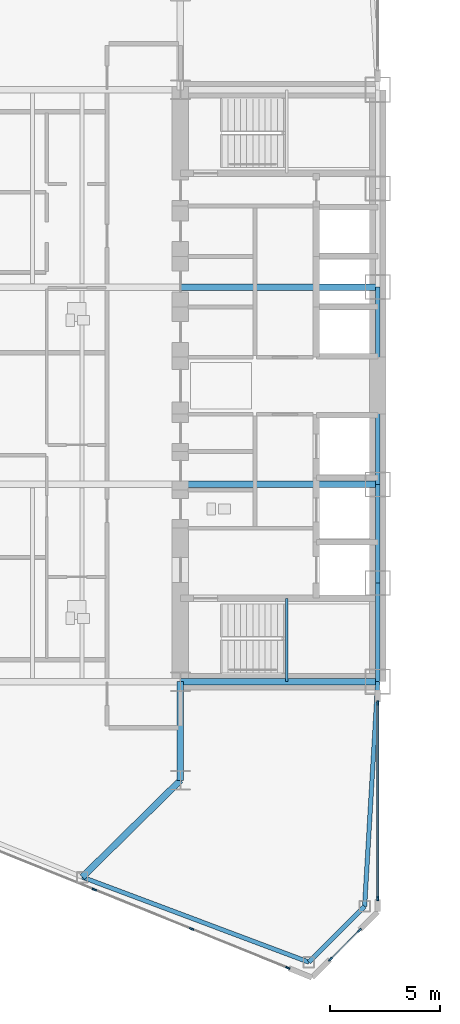
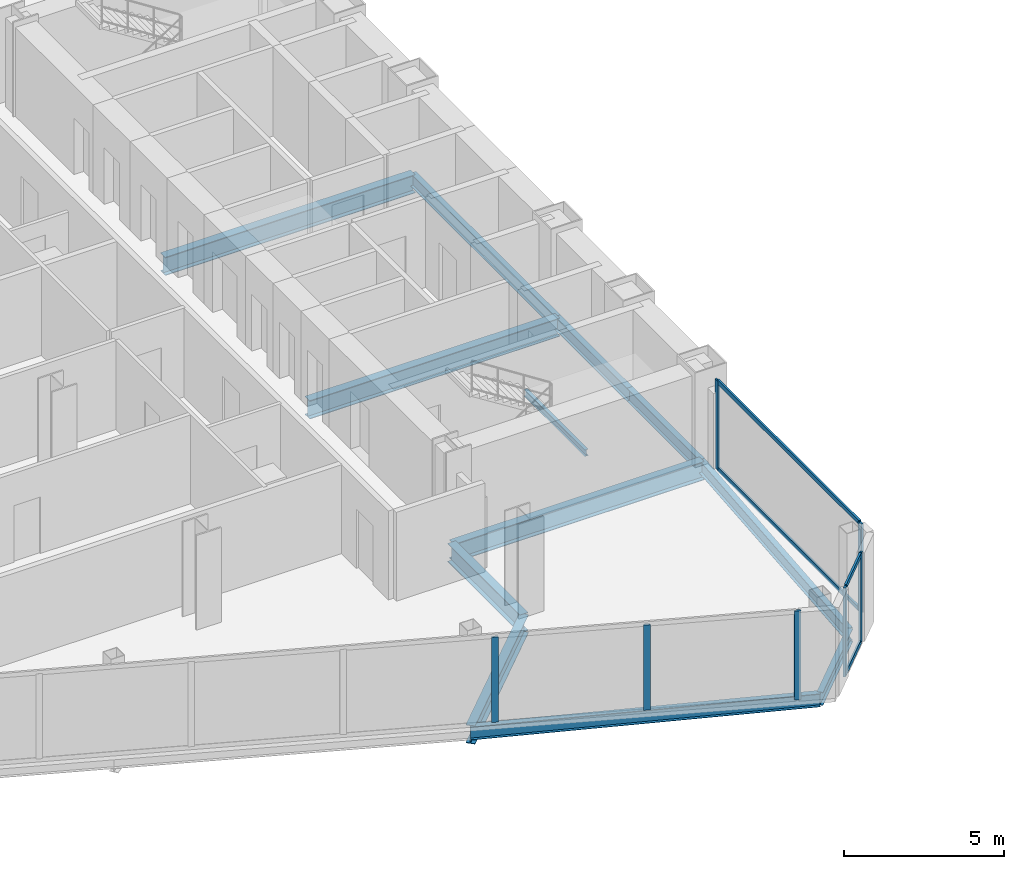
# One storey, part 5 of 25: 12 beams, 11 members, 3 elements without a shape of their own.
"""IFC4 building model written with IfcOpenShell, lengths in metres."""

from ifc_helpers import new_model, si_unit, direction, frame, origin, origin_2d, place, context, subcontext, project, spatial, rectangle, i_section, extrude, source, transform, mapped, material, layer, layer_set, material_profile, profile_set, type_object, type_shapes, element, aggregate, save


model = new_model("IFC4")

# Units and contexts
model_context = context("Model", 3, precision=1e-05, world=origin(), true_north=direction((0.0, 1.0)))
body_context = subcontext(model_context, "Body", "Model", "MODEL_VIEW")
ifc_project = project(units=[si_unit("LENGTHUNIT", "METRE"), si_unit("AREAUNIT", "SQUARE_METRE"), si_unit("VOLUMEUNIT", "CUBIC_METRE"), si_unit("PLANEANGLEUNIT", "RADIAN"), si_unit("MASSUNIT", "GRAM", prefix="KILO")], contexts=[model_context])

# Site, building, storey
site_placement = place(None, origin())
site = spatial("IfcSite", under=ifc_project, at=site_placement, CompositionType="ELEMENT")
building_placement = place(site_placement, origin())
building = spatial("IfcBuilding", under=site, at=building_placement, Name="Seokmaru Belvedere", CompositionType="ELEMENT")
storey_placement = place(building_placement, frame((0.0, 0.0, 54.89990234375)))
storey = spatial("IfcBuildingStorey", under=building, at=storey_placement, Name="L14", CompositionType="ELEMENT", Elevation=54.89990234375)

# Beams
ifc_material_1 = material(Name="Steel SM355 (355 MPa)", Category="steel")
ifc_material_profile_1 = material_profile(ifc_material_1, i_section(OverallWidth=0.199951171875, OverallDepth=0.5, WebThickness=0.010009765625, FlangeThickness=0.01611328125, at=origin_2d()), Name="H-500x200x10x16")
ifc_profile_set_1 = profile_set([ifc_material_profile_1], Name="Steel SM355 (355 MPa)")
beam_type_1 = type_object("IfcBeamType", Name="Perimeter Spandrel Beam H-500", PredefinedType="SPANDREL", material=ifc_profile_set_1)
shared_shape_1 = source(origin(), body_context, "Body", "SweptSolid", [
    extrude(i_section(OverallWidth=0.199951171875, OverallDepth=0.5, WebThickness=0.010009765625, FlangeThickness=0.01611328125, at=origin_2d()), origin(), (0.0, 0.0, 1.0), 4.5),
])
for number, where, z_axis, x_axis, name in (
    (1, (-27.5, -13.5, -0.469970703125), (0.0, 1.0, 0.0), (-1.0, 0.0, 0.0), "L14 W Portal Spine Spandrel 1"),
    (2, (-27.5, -9.0, -0.469970703125), (0.0, 1.0, 0.0), (-1.0, 0.0, 0.0), "L14 W Portal Spine Spandrel 2"),
):
    element("IfcBeam", number, at=place(storey_placement, frame(where, z_axis=z_axis, x_axis=x_axis)), inside=storey, type_object=beam_type_1, Name=name, PredefinedType="SPANDREL", context=body_context, shape_type="MappedRepresentation", body=[
        mapped(shared_shape_1, transform((0.0, 0.0, 0.0), scale=1.0)),
    ])
shared_shape_2 = source(origin(), body_context, "Body", "SweptSolid", [
    extrude(i_section(OverallWidth=0.199951171875, OverallDepth=0.5, WebThickness=0.010009765625, FlangeThickness=0.01611328125, at=origin_2d()), origin(), (0.0, 0.0, 1.0), 9.0),
])
beam_1_placement = place(storey_placement, frame((-27.5, -4.5, -0.469970703125), z_axis=(0.0, 1.0, 0.0), x_axis=(-1.0, 0.0, 0.0)))
element("IfcBeam", 3, at=beam_1_placement, inside=storey, type_object=beam_type_1, Name="L14 W Portal Spine Spandrel 3", PredefinedType="SPANDREL", context=body_context, shape_type="MappedRepresentation", body=[
    mapped(shared_shape_2, transform((0.0, 0.0, 0.0), scale=1.0)),
])
ifc_material_profile_2 = material_profile(ifc_material_1, i_section(OverallWidth=0.300048828125, OverallDepth=0.699951171875, WebThickness=0.012939453125, FlangeThickness=0.02392578125, at=origin_2d()), Name="H-700x300x13x24")
ifc_profile_set_2 = profile_set([ifc_material_profile_2], Name="Steel SM355 (355 MPa)")
beam_type_2 = type_object("IfcBeamType", Name="Primary Floor Girder H-700", PredefinedType="BEAM", material=ifc_profile_set_2)
shared_shape_3 = source(origin(), body_context, "Body", "SweptSolid", [
    extrude(i_section(OverallWidth=0.300048828125, OverallDepth=0.699951171875, WebThickness=0.012939453125, FlangeThickness=0.02392578125, at=origin_2d()), origin(), (0.0, 0.0, 1.0), 4.5),
])
beam_2_placement = place(storey_placement, frame((-36.5, -18.0, -0.56982421875), z_axis=(0.0, 1.0, 0.0), x_axis=(-1.0, 0.0, 0.0)))
element("IfcBeam", 4, at=beam_2_placement, inside=storey, type_object=beam_type_2, Name="L14 W Core Shoulder Girder S", PredefinedType="BEAM", context=body_context, shape_type="MappedRepresentation", body=[
    mapped(shared_shape_3, transform((0.0, 0.0, 0.0), scale=1.0)),
])
shared_shape_4 = source(origin(), body_context, "Body", "SweptSolid", [
    extrude(i_section(OverallWidth=0.300048828125, OverallDepth=0.699951171875, WebThickness=0.012939453125, FlangeThickness=0.02392578125, at=origin_2d()), origin(), (0.0, 0.0, 1.0), 9.0),
])
for number, where, z_axis, x_axis, name in (
    (5, (-36.5, -13.5, -0.56982421875), (1.0, 0.0, 0.0), (0.0, 1.0, 0.0), "L14 W Core Tie Girder 1"),
    (6, (-36.5, -4.5, -0.56982421875), (1.0, 0.0, 0.0), (0.0, 1.0, 0.0), "L14 W Core Tie Girder 2"),
    (7, (-36.5, 4.5, -0.56982421875), (1.0, 0.0, 0.0), (0.0, 1.0, 0.0), "L14 W Core Tie Girder 3"),
):
    element("IfcBeam", number, at=place(storey_placement, frame(where, z_axis=z_axis, x_axis=x_axis)), inside=storey, type_object=beam_type_2, Name=name, PredefinedType="BEAM", context=body_context, shape_type="MappedRepresentation", body=[
        mapped(shared_shape_4, transform((0.0, 0.0, 0.0), scale=1.0)),
    ])
shared_shape_5 = source(origin(), body_context, "Body", "SweptSolid", [
    extrude(i_section(OverallWidth=0.199951171875, OverallDepth=0.5, WebThickness=0.010009765625, FlangeThickness=0.01611328125, at=origin_2d()), origin(), (0.0, 0.0, 1.0), 11.03857421875),
])
beam_3_placement = place(storey_placement, frame((-30.643310546875, -26.294677734375, -0.469970703125), z_axis=(-0.936169110734, 0.351549990907, 0.0), x_axis=(-0.351549990907, -0.936169110734, 0.0)))
element("IfcBeam", 8, at=beam_3_placement, inside=storey, type_object=beam_type_1, Name="L14 W Faceted Flank Spandrel S-1", PredefinedType="SPANDREL", context=body_context, shape_type="MappedRepresentation", body=[
    mapped(shared_shape_5, transform((0.0, 0.0, 0.0), scale=1.0)),
])
shared_shape_6 = source(origin(), body_context, "Body", "SweptSolid", [
    extrude(i_section(OverallWidth=0.199951171875, OverallDepth=0.5, WebThickness=0.010009765625, FlangeThickness=0.01611328125, at=origin_2d()), origin(), (0.0, 0.0, 1.0), 3.5966796875),
])
beam_4_placement = place(storey_placement, frame((-30.643310546875, -26.294677734375, -0.469970703125), z_axis=(0.707106781187, 0.707106781187, 0.0), x_axis=(-0.707106781187, 0.707106781187, 0.0)))
element("IfcBeam", 9, at=beam_4_placement, inside=storey, type_object=beam_type_1, Name="L14 W Shoulder Chamfer Spandrel S", PredefinedType="SPANDREL", context=body_context, shape_type="MappedRepresentation", body=[
    mapped(shared_shape_6, transform((0.0, 0.0, 0.0), scale=1.0)),
])
shared_shape_7 = source(origin(), body_context, "Body", "SweptSolid", [
    extrude(i_section(OverallWidth=0.199951171875, OverallDepth=0.5, WebThickness=0.010009765625, FlangeThickness=0.01611328125, at=origin_2d()), origin(), (0.0, 0.0, 1.0), 10.26904296875),
])
type_shapes(beam_type_1, [shared_shape_1, shared_shape_2, shared_shape_5, shared_shape_6, shared_shape_7])
beam_5_placement = place(storey_placement, frame((-28.10009765625, -23.75146484375, -0.469970703125), z_axis=(0.058437709399, 0.998291056817, 0.0), x_axis=(-0.998291056817, 0.058437709399, 0.0)))
element("IfcBeam", 10, at=beam_5_placement, inside=storey, type_object=beam_type_1, Name="L14 W Shoulder Spine Spandrel S", PredefinedType="SPANDREL", context=body_context, shape_type="MappedRepresentation", body=[
    mapped(shared_shape_7, transform((0.0, 0.0, 0.0), scale=1.0)),
])
shared_shape_8 = source(origin(), body_context, "Body", "SweptSolid", [
    extrude(i_section(OverallWidth=0.300048828125, OverallDepth=0.699951171875, WebThickness=0.012939453125, FlangeThickness=0.02392578125, at=origin_2d()), origin(), (0.0, 0.0, 1.0), 6.287353515625),
])
type_shapes(beam_type_2, [shared_shape_3, shared_shape_4, shared_shape_8])
beam_6_placement = place(storey_placement, frame((-40.977294921875, -22.4140625, -0.56982421875), z_axis=(0.712117485263, 0.702060315915, 0.0), x_axis=(-0.702060315915, 0.712117485263, 0.0)))
element("IfcBeam", 11, at=beam_6_placement, inside=storey, type_object=beam_type_2, Name="L14 W Flank Radial Floor Girder S-1", PredefinedType="BEAM", context=body_context, shape_type="MappedRepresentation", body=[
    mapped(shared_shape_8, transform((0.0, 0.0, 0.0), scale=1.0)),
])

# Curtain wall, members
ifc_material_2 = material(Name="Bronze Triple Insulating Glass", Category="glass")
ifc_layer = layer(ifc_material_2, 0.2099609375)
ifc_layer_set = layer_set([ifc_layer], Name="Bronze Triple Insulating Glass")
curtain_wall_type = type_object("IfcCurtainWallType", Name="Low-Rise Faceted Crystal Curtain Wall System CW-2", PredefinedType="NOTDEFINED", material=ifc_layer_set)
curtain_wall_1_placement = place(storey_placement, origin())
curtain_wall_1 = element("IfcCurtainWall", 12, at=curtain_wall_1_placement, inside=storey, type_object=curtain_wall_type, Name="L14 Curtain Wall WSP_1", PredefinedType="NOTDEFINED")
ifc_material_3 = material(Name="Anodised Bronze Aluminium", Category="aluminium")
ifc_material_profile_3 = material_profile(ifc_material_3, rectangle(XDim=0.074951171875, YDim=0.2099609375, at=origin_2d()), Name="CW-M-75x210")
ifc_profile_set_3 = profile_set([ifc_material_profile_3], Name="Anodised Bronze Aluminium")
member_type_1 = type_object("IfcMemberType", Name="Bronze Unitised Mullion 75x210", PredefinedType="MULLION", material=ifc_profile_set_3)
shared_shape_9 = source(origin(), body_context, "Body", "SweptSolid", [
    extrude(rectangle(XDim=0.074951171875, YDim=0.2099609375, at=origin_2d()), origin(), (0.0, 0.0, 1.0), 3.380126953125),
])
member_1_placement = place(storey_placement, frame((-27.5, -23.392578125, 0.0), z_axis=(0.0, 0.0, 1.0), x_axis=(-1.0, 0.0, 0.0)))
member_1 = element("IfcMember", 13, at=member_1_placement, type_object=member_type_1, Name="CW:L14:WSP_1 Mullion 1", PredefinedType="MULLION", context=body_context, shape_type="MappedRepresentation", body=[
    mapped(shared_shape_9, transform((0.0, 0.0, 0.0), scale=1.0)),
])
member_2_placement = place(storey_placement, frame((-27.5, -14.467529296875, 0.0), z_axis=(0.0, 0.0, 1.0), x_axis=(-1.0, 0.0, 0.0)))
member_2 = element("IfcMember", 14, at=member_2_placement, type_object=member_type_1, Name="CW:L14:WSP_1 Mullion 2", PredefinedType="MULLION", context=body_context, shape_type="MappedRepresentation", body=[
    mapped(shared_shape_9, transform((0.0, 0.0, 0.0), scale=1.0)),
])

# Curtain wall, member
curtain_wall_2_placement = place(storey_placement, origin())
curtain_wall_2 = element("IfcCurtainWall", 15, at=curtain_wall_2_placement, inside=storey, type_object=curtain_wall_type, Name="L14 Curtain Wall WF5", PredefinedType="NOTDEFINED")
member_3_placement = place(storey_placement, frame((-31.600830078125, -26.554443359375, 0.0), z_axis=(0.0, 0.0, 1.0), x_axis=(0.375192321888, 0.926946989637, 0.0)))
member_3 = element("IfcMember", 16, at=member_3_placement, type_object=member_type_1, Name="CW:L14:WF5 Mullion 10", PredefinedType="MULLION", context=body_context, shape_type="MappedRepresentation", body=[
    mapped(shared_shape_9, transform((0.0, 0.0, 0.0), scale=1.0)),
])

# Curtain wall, members
curtain_wall_3_placement = place(storey_placement, origin())
curtain_wall_3 = element("IfcCurtainWall", 17, at=curtain_wall_3_placement, inside=storey, type_object=curtain_wall_type, Name="L14 Curtain Wall WF6", PredefinedType="NOTDEFINED")
member_4_placement = place(storey_placement, frame((-29.660400390625, -26.160400390625, 0.0), z_axis=(0.0, 0.0, 1.0), x_axis=(-0.707106781187, 0.707106781187, 0.0)))
member_4 = element("IfcMember", 18, at=member_4_placement, type_object=member_type_1, Name="CW:L14:WF6 Mullion 1", PredefinedType="MULLION", context=body_context, shape_type="MappedRepresentation", body=[
    mapped(shared_shape_9, transform((0.0, 0.0, 0.0), scale=1.0)),
])
member_5_placement = place(storey_placement, frame((-28.339599609375, -24.839599609375, 0.0), z_axis=(0.0, 0.0, 1.0), x_axis=(-0.707106781187, 0.707106781187, 0.0)))
member_5 = element("IfcMember", 19, at=member_5_placement, type_object=member_type_1, Name="CW:L14:WF6 Mullion 2", PredefinedType="MULLION", context=body_context, shape_type="MappedRepresentation", body=[
    mapped(shared_shape_9, transform((0.0, 0.0, 0.0), scale=1.0)),
])

# Member
ifc_material_profile_4 = material_profile(ifc_material_3, rectangle(XDim=0.070068359375, YDim=0.1650390625, at=origin_2d()), Name="CW-T-70x165")
ifc_profile_set_4 = profile_set([ifc_material_profile_4], Name="Anodised Bronze Aluminium")
member_type_2 = type_object("IfcMemberType", Name="Bronze Unitised Transom 70x165", PredefinedType="USERDEFINED", material=ifc_profile_set_4)
shared_shape_10 = source(origin(), body_context, "Body", "SweptSolid", [
    extrude(rectangle(XDim=0.070068359375, YDim=0.1650390625, at=origin_2d()), origin(), (0.0, 0.0, 1.0), 8.85009765625),
])
member_6_placement = place(storey_placement, frame((-27.5, -23.35498046875, 0.03515625), z_axis=(0.0, 1.0, 0.0), x_axis=(-1.0, 0.0, 0.0)))
member_6 = element("IfcMember", 20, at=member_6_placement, type_object=member_type_2, Name="CW:L14:WSP_1 Continuous Transom 1", ObjectType="TRANSOM", PredefinedType="USERDEFINED", context=body_context, shape_type="MappedRepresentation", body=[
    mapped(shared_shape_10, transform((0.0, 0.0, 0.0), scale=1.0)),
])

member_7_placement = place(storey_placement, frame((-27.5, -23.35498046875, 3.34521484375), z_axis=(0.0, 1.0, 0.0), x_axis=(-1.0, 0.0, 0.0)))
member_7 = element("IfcMember", 21, at=member_7_placement, type_object=member_type_2, Name="CW:L14:WSP_1 Continuous Transom 2", ObjectType="TRANSOM", PredefinedType="USERDEFINED", context=body_context, shape_type="MappedRepresentation", body=[
    mapped(shared_shape_10, transform((0.0, 0.0, 0.0), scale=1.0)),
])

aggregate(curtain_wall_1, [member_1, member_2, member_6, member_7])

shared_shape_11 = source(origin(), body_context, "Body", "SweptSolid", [
    extrude(rectangle(XDim=0.070068359375, YDim=0.1650390625, at=origin_2d()), origin(), (0.0, 0.0, 1.0), 1.792724609375),
])
type_shapes(member_type_2, [shared_shape_10, shared_shape_11])
member_8_placement = place(storey_placement, frame((-29.6337890625, -26.1337890625, 0.03515625), z_axis=(0.707106781187, 0.707106781187, 0.0), x_axis=(-0.707106781187, 0.707106781187, 0.0)))
member_8 = element("IfcMember", 22, at=member_8_placement, type_object=member_type_2, Name="CW:L14:WF6 Continuous Transom 1", ObjectType="TRANSOM", PredefinedType="USERDEFINED", context=body_context, shape_type="MappedRepresentation", body=[
    mapped(shared_shape_11, transform((0.0, 0.0, 0.0), scale=1.0)),
])

member_9_placement = place(storey_placement, frame((-29.6337890625, -26.1337890625, 3.34521484375), z_axis=(0.707106781187, 0.707106781187, 0.0), x_axis=(-0.707106781187, 0.707106781187, 0.0)))
member_9 = element("IfcMember", 23, at=member_9_placement, type_object=member_type_2, Name="CW:L14:WF6 Continuous Transom 2", ObjectType="TRANSOM", PredefinedType="USERDEFINED", context=body_context, shape_type="MappedRepresentation", body=[
    mapped(shared_shape_11, transform((0.0, 0.0, 0.0), scale=1.0)),
])

aggregate(curtain_wall_3, [member_4, member_5, member_8, member_9])

shared_shape_12 = source(origin(), body_context, "Body", "SweptSolid", [
    extrude(rectangle(XDim=0.074951171875, YDim=0.2099609375, at=origin_2d()), origin(), (0.0, 0.0, 1.0), 3.239990234375),
])
type_shapes(member_type_1, [shared_shape_9, shared_shape_12])
member_10_placement = place(storey_placement, frame((-40.425537109375, -22.982421875, 0.070068359375), z_axis=(0.0, 0.0, 1.0), x_axis=(0.375192321888, 0.926946989637, 0.0)))
member_10 = element("IfcMember", 24, at=member_10_placement, type_object=member_type_1, Name="CW:L14:WF5 Mullion 8", PredefinedType="MULLION", context=body_context, shape_type="MappedRepresentation", body=[
    mapped(shared_shape_12, transform((0.0, 0.0, 0.0), scale=1.0)),
])

member_11_placement = place(storey_placement, frame((-35.995849609375, -24.775390625, 0.070068359375), z_axis=(0.0, 0.0, 1.0), x_axis=(0.375192321888, 0.926946989637, 0.0)))
member_11 = element("IfcMember", 25, at=member_11_placement, type_object=member_type_1, Name="CW:L14:WF5 Mullion 9", PredefinedType="MULLION", context=body_context, shape_type="MappedRepresentation", body=[
    mapped(shared_shape_12, transform((0.0, 0.0, 0.0), scale=1.0)),
])

aggregate(curtain_wall_2, [member_10, member_11, member_3])

# Beam
ifc_material_profile_5 = material_profile(ifc_material_1, i_section(OverallWidth=0.125, OverallDepth=0.25, WebThickness=0.006103515625, FlangeThickness=0.009033203125, at=origin_2d()), Name="H-250x125x6x9")
ifc_profile_set_5 = profile_set([ifc_material_profile_5], Name="Steel SM355 (355 MPa)")
beam_type_3 = type_object("IfcBeamType", Name="Stair Mid-Landing Support Beam H-250", PredefinedType="JOIST", material=ifc_profile_set_5)
shared_shape_13 = source(origin(), body_context, "Body", "SweptSolid", [
    extrude(i_section(OverallWidth=0.125, OverallDepth=0.25, WebThickness=0.006103515625, FlangeThickness=0.009033203125, at=origin_2d()), origin(), (0.0, 0.0, 1.0), 3.800048828125),
])
type_shapes(beam_type_3, [shared_shape_13])
beam_7_placement = place(storey_placement, frame((-31.64990234375, -13.5, 1.47509765625), z_axis=(0.0, 1.0, 0.0), x_axis=(-1.0, 0.0, 0.0)))
element("IfcBeam", 26, at=beam_7_placement, inside=storey, type_object=beam_type_3, Name="L14 Stair ST-W1 Mid-Landing Support Beam 1", PredefinedType="JOIST", context=body_context, shape_type="MappedRepresentation", body=[
    mapped(shared_shape_13, transform((0.0, 0.0, 0.0), scale=1.0)),
])

save(model, "model.ifc")
